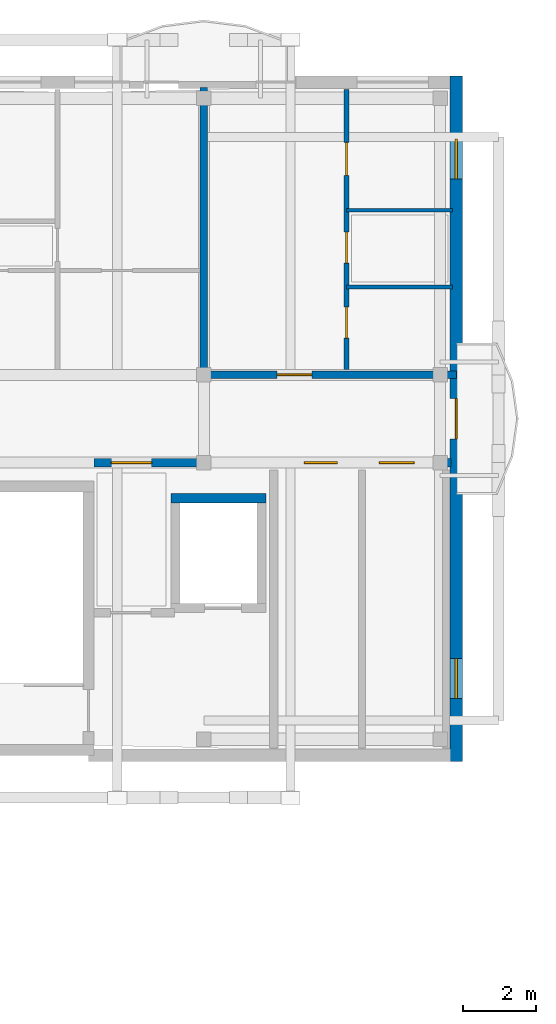
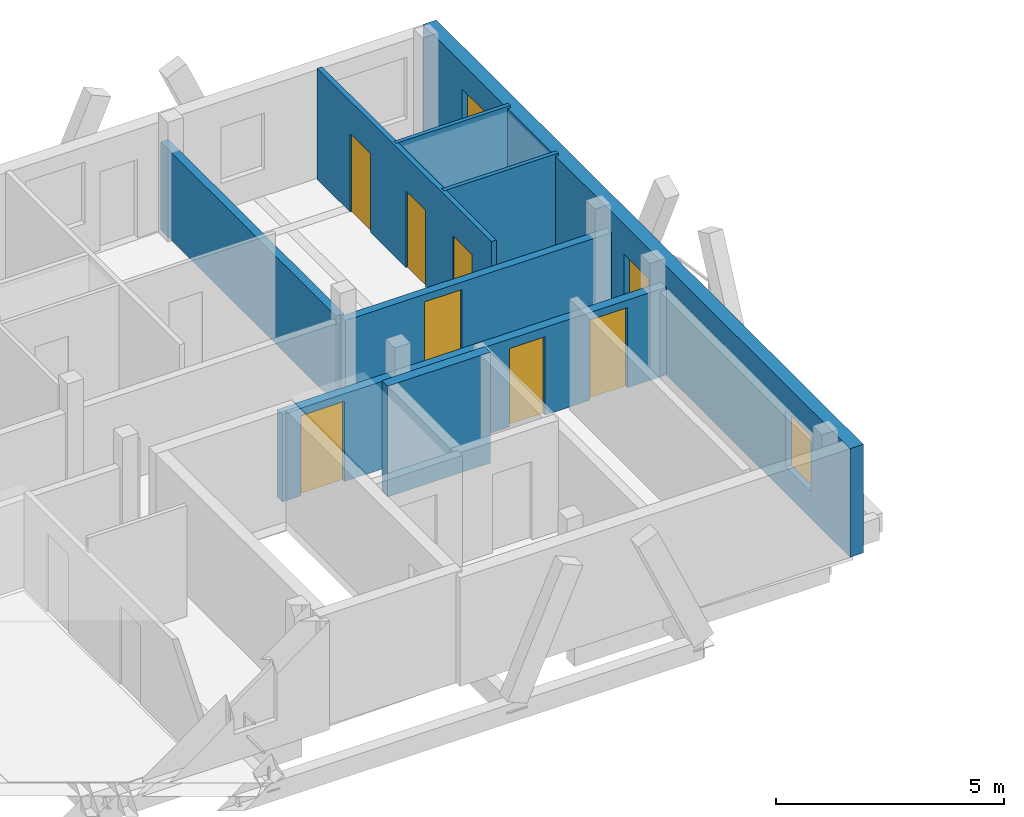
# One storey, part 13 of 18: 8 doors, 8 walls, 2 windows, 10 openings.
"""IFC4 building model written with IfcOpenShell, lengths in metres."""

from ifc_helpers import new_model, si_unit, direction, frame, frame_2d, origin, origin_with_axes, place, context, subcontext, project, spatial, rectangle, extrude, material, layer, layer_set, type_object, element, fill, save


model = new_model("IFC4")

# Units and contexts
model_context = context("Model", 3, precision=1e-05, world=origin(), true_north=direction((0.0, 1.0)))
body_context = subcontext(model_context, "Body", "Model", "MODEL_VIEW")
ifc_project = project(units=[si_unit("LENGTHUNIT", "METRE"), si_unit("AREAUNIT", "SQUARE_METRE"), si_unit("VOLUMEUNIT", "CUBIC_METRE"), si_unit("PLANEANGLEUNIT", "RADIAN"), si_unit("MASSUNIT", "GRAM", prefix="KILO")], contexts=[model_context])

# Site, building, storey
site_placement = place(None, origin())
site = spatial("IfcSite", under=ifc_project, at=site_placement, CompositionType="ELEMENT")
building_placement = place(site_placement, origin())
building = spatial("IfcBuilding", under=site, at=building_placement, Name="Zavelmont Quarter", CompositionType="ELEMENT")
storey_placement = place(building_placement, frame((0.0, 0.0, 40.0)))
storey = spatial("IfcBuildingStorey", under=building, at=storey_placement, Name="L12", CompositionType="ELEMENT", Elevation=40.0)

# Wall, openings, door, windows
ifc_material_1 = material(Name="Natural Belgian limestone", Category="masonry")
ifc_layer_1 = layer(ifc_material_1, 0.340087890625)
ifc_layer_set_1 = layer_set([ifc_layer_1], Name="Natural Belgian limestone")
wall_type_1 = type_object("IfcWallType", Name="EW03", PredefinedType="STANDARD", material=ifc_layer_set_1)
wall_1_placement = place(storey_placement, frame((41.39990234375, 97.429931640625, 0.0), z_axis=(0.0, 0.0, 1.0), x_axis=(0.0, 1.0, 0.0)))
wall_1 = element("IfcWall", 1, at=wall_1_placement, inside=storey, type_object=wall_type_1, Name="L12 exterior limestone wall EW03", PredefinedType="STANDARD", context=body_context, shape_type="SweptSolid", body=[
    extrude(rectangle(XDim=18.739990234375, YDim=0.340087890625, at=frame_2d((9.3701171875, 0.0))), origin(), (0.0, 0.0, 1.0), 2.909912109375),
])
opening_1_placement = place(wall_1_placement, frame((8.820068359375, 0.0, 0.0)))
opening_1 = element("IfcOpeningElement", 2, at=opening_1_placement, cuts=wall_1, Name="Opening DR04B", PredefinedType="OPENING", context=body_context, shape_type="SweptSolid", body=[
    extrude(rectangle(XDim=1.10009765625, YDim=2.10009765625, at=frame_2d((0.550048828125, 1.050048828125))), frame((0.0, 0.18212890625, 0.0), z_axis=(0.0, -1.0, 0.0), x_axis=(1.0, 0.0, 0.0)), (0.0, 0.0, 1.0), 0.364013671875),
])
opening_2_placement = place(wall_1_placement, frame((1.719970703125, 0.0, 0.719970703125)))
opening_2 = element("IfcOpeningElement", 3, at=opening_2_placement, cuts=wall_1, Name="Opening WN09", PredefinedType="OPENING", context=body_context, shape_type="SweptSolid", body=[
    extrude(rectangle(XDim=1.10009765625, YDim=1.5, at=frame_2d((0.550048828125, 0.75))), frame((0.0, 0.18212890625, 0.0), z_axis=(0.0, -1.0, 0.0), x_axis=(1.0, 0.0, 0.0)), (0.0, 0.0, 1.0), 0.364013671875),
])
opening_3_placement = place(wall_1_placement, frame((15.919921875, 0.0, 0.719970703125)))
opening_3 = element("IfcOpeningElement", 4, at=opening_3_placement, cuts=wall_1, Name="Opening WN09", PredefinedType="OPENING", context=body_context, shape_type="SweptSolid", body=[
    extrude(rectangle(XDim=1.10009765625, YDim=1.5, at=frame_2d((0.550048828125, 0.75))), frame((0.0, 0.18212890625, 0.0), z_axis=(0.0, -1.0, 0.0), x_axis=(1.0, 0.0, 0.0)), (0.0, 0.0, 1.0), 0.364013671875),
])
ifc_material_2 = material(Name="Thermally broken aluminium and double safety glass", Category="aluminium")
door_type_1 = type_object("IfcDoorType", Name="DR04B", OperationType="NOTDEFINED", PredefinedType="DOOR", material=ifc_material_2)
door_1_placement = place(opening_1_placement, origin_with_axes())
door_1 = element("IfcDoor", 5, at=door_1_placement, inside=storey, type_object=door_type_1, Name="Block B L12 terrace or vase balcony door", OperationType="SINGLE_SWING_LEFT", OverallHeight=2.10009765625, OverallWidth=1.10009765625, PredefinedType="DOOR", context=body_context, shape_type="SweptSolid", body=[
    extrude(rectangle(XDim=1.10009765625, YDim=2.10009765625, at=frame_2d((0.550048828125, 1.050048828125))), frame((0.0, 0.02490234375, 0.0), z_axis=(0.0, -1.0, 0.0), x_axis=(1.0, 0.0, 0.0)), (0.0, 0.0, 1.0), 0.050048828125),
])
fill(opening_1, door_1)
ifc_material_3 = material(Name="Double low-E insulated glazing in thermally broken aluminium frame", Category="aluminium")
window_type = type_object("IfcWindowType", Name="WN09", PartitioningType="SINGLE_PANEL", PredefinedType="WINDOW", material=ifc_material_3)
window_1_placement = place(opening_2_placement, origin_with_axes())
window_1 = element("IfcWindow", 6, at=window_1_placement, inside=storey, type_object=window_type, Name="L12 window WN09", OverallHeight=1.5, OverallWidth=1.10009765625, PartitioningType="SINGLE_PANEL", PredefinedType="WINDOW", context=body_context, shape_type="SweptSolid", body=[
    extrude(rectangle(XDim=1.10009765625, YDim=1.5, at=frame_2d((0.550048828125, 0.75))), frame((0.0, 0.030029296875, 0.0), z_axis=(0.0, -1.0, 0.0), x_axis=(1.0, 0.0, 0.0)), (0.0, 0.0, 1.0), 0.06005859375),
])
fill(opening_2, window_1)
window_2_placement = place(opening_3_placement, origin_with_axes())
window_2 = element("IfcWindow", 7, at=window_2_placement, inside=storey, type_object=window_type, Name="L12 window WN09", OverallHeight=1.5, OverallWidth=1.10009765625, PartitioningType="SINGLE_PANEL", PredefinedType="WINDOW", context=body_context, shape_type="SweptSolid", body=[
    extrude(rectangle(XDim=1.10009765625, YDim=1.5, at=frame_2d((0.550048828125, 0.75))), frame((0.0, 0.030029296875, 0.0), z_axis=(0.0, -1.0, 0.0), x_axis=(1.0, 0.0, 0.0)), (0.0, 0.0, 1.0), 0.06005859375),
])
fill(opening_3, window_2)

# Wall
ifc_material_4 = material(Name="Calcium-silicate blockwork and acoustic plaster", Category="masonry")
ifc_layer_2 = layer(ifc_material_4, 0.199951171875)
ifc_layer_set_2 = layer_set([ifc_layer_2], Name="Calcium-silicate blockwork and acoustic plaster")
wall_type_2 = type_object("IfcWallType", Name="IW01", PredefinedType="PARTITIONING", material=ifc_layer_set_2)
wall_2_placement = place(storey_placement, frame((34.5, 108.14990234375, 0.0), z_axis=(0.0, 0.0, 1.0), x_axis=(0.0, 1.0, 0.0)))
element("IfcWall", 8, at=wall_2_placement, inside=storey, type_object=wall_type_2, Name="L12 Inter-dwelling compartment wall IW01", PredefinedType="PARTITIONING", context=body_context, shape_type="SweptSolid", body=[
    extrude(rectangle(XDim=7.7001953125, YDim=0.199951171875, at=frame_2d((3.85009765625, 0.0))), origin(), (0.0, 0.0, 1.0), 2.35009765625),
])

# Wall, opening, door
wall_3_placement = place(storey_placement, frame((34.5, 108.0, 0.0), z_axis=(0.0, 0.0, 1.0), x_axis=(1.0, 0.0, 0.0)))
wall_3 = element("IfcWall", 9, at=wall_3_placement, inside=storey, type_object=wall_type_2, Name="L12 Corridor compartment wall IW01", PredefinedType="PARTITIONING", context=body_context, shape_type="SweptSolid", body=[
    extrude(rectangle(XDim=6.89990234375, YDim=0.199951171875, at=frame_2d((3.449951171875, 0.0))), origin(), (0.0, 0.0, 1.0), 2.35009765625),
])
opening_4_placement = place(wall_3_placement, frame((2.0, 0.0, 0.0)))
opening_4 = element("IfcOpeningElement", 10, at=opening_4_placement, cuts=wall_3, Name="Opening DR02", PredefinedType="OPENING", context=body_context, shape_type="SweptSolid", body=[
    extrude(rectangle(XDim=0.949951171875, YDim=2.14990234375, at=frame_2d((0.47509765625, 1.074951171875))), frame((0.0, 0.11181640625, 0.0), z_axis=(0.0, -1.0, 0.0), x_axis=(1.0, 0.0, 0.0)), (0.0, 0.0, 1.0), 0.223876953125),
])
ifc_material_5 = material(Name="Solid-core oak fire leaf in steel frame", Category="steel")
door_type_2 = type_object("IfcDoorType", Name="DR02", OperationType="NOTDEFINED", PredefinedType="DOOR", material=ifc_material_5)
door_2_placement = place(opening_4_placement, origin_with_axes())
door_2 = element("IfcDoor", 11, at=door_2_placement, inside=storey, type_object=door_type_2, Name="L12 door DR02", OperationType="SINGLE_SWING_LEFT", OverallHeight=2.14990234375, OverallWidth=0.949951171875, PredefinedType="DOOR", context=body_context, shape_type="SweptSolid", body=[
    extrude(rectangle(XDim=0.949951171875, YDim=2.14990234375, at=frame_2d((0.47509765625, 1.074951171875))), frame((0.0, 0.02490234375, 0.0), z_axis=(0.0, -1.0, 0.0), x_axis=(1.0, 0.0, 0.0)), (0.0, 0.0, 1.0), 0.050048828125),
])
fill(opening_4, door_2)

# Wall, openings, doors
ifc_material_6 = material(Name="Reinforced masonry fire compartment wall", Category="masonry")
ifc_layer_3 = layer(ifc_material_6, 0.22509765625)
ifc_layer_set_3 = layer_set([ifc_layer_3], Name="Reinforced masonry fire compartment wall")
wall_type_3 = type_object("IfcWallType", Name="IW02", PredefinedType="PARTITIONING", material=ifc_layer_set_3)
wall_4_placement = place(storey_placement, frame((31.5, 105.60009765625, 0.0), z_axis=(0.0, 0.0, 1.0), x_axis=(1.0, 0.0, 0.0)))
wall_4 = element("IfcWall", 12, at=wall_4_placement, inside=storey, type_object=wall_type_3, Name="L12 Core corridor fire wall IW02", PredefinedType="PARTITIONING", context=body_context, shape_type="SweptSolid", body=[
    extrude(rectangle(XDim=9.75, YDim=0.22509765625, at=frame_2d((4.875, 0.0))), origin(), (0.0, 0.0, 1.0), 2.35009765625),
])
opening_5_placement = place(wall_4_placement, frame((0.47509765625, 0.0, 0.0)))
opening_5 = element("IfcOpeningElement", 13, at=opening_5_placement, cuts=wall_4, Name="Opening DR10", PredefinedType="OPENING", context=body_context, shape_type="SweptSolid", body=[
    extrude(rectangle(XDim=1.10009765625, YDim=2.14990234375, at=frame_2d((0.550048828125, 1.074951171875))), frame((0.0, 0.12451171875, 0.0), z_axis=(0.0, -1.0, 0.0), x_axis=(1.0, 0.0, 0.0)), (0.0, 0.0, 1.0), 0.2490234375),
])
opening_6_placement = place(wall_4_placement, frame((5.75, 0.0, 0.0)))
opening_6 = element("IfcOpeningElement", 14, at=opening_6_placement, cuts=wall_4, Name="Opening DR11", PredefinedType="OPENING", context=body_context, shape_type="SweptSolid", body=[
    extrude(rectangle(XDim=0.89990234375, YDim=2.10009765625, at=frame_2d((0.449951171875, 1.050048828125))), frame((0.0, 0.12451171875, 0.0), z_axis=(0.0, -1.0, 0.0), x_axis=(1.0, 0.0, 0.0)), (0.0, 0.0, 1.0), 0.2490234375),
])
opening_7_placement = place(wall_4_placement, frame((7.800048828125, 0.0, 0.0)))
opening_7 = element("IfcOpeningElement", 15, at=opening_7_placement, cuts=wall_4, Name="Opening DR02", PredefinedType="OPENING", context=body_context, shape_type="SweptSolid", body=[
    extrude(rectangle(XDim=0.949951171875, YDim=2.14990234375, at=frame_2d((0.47509765625, 1.074951171875))), frame((0.0, 0.12451171875, 0.0), z_axis=(0.0, -1.0, 0.0), x_axis=(1.0, 0.0, 0.0)), (0.0, 0.0, 1.0), 0.2490234375),
])
door_3_placement = place(opening_7_placement, origin_with_axes())
door_3 = element("IfcDoor", 16, at=door_3_placement, inside=storey, type_object=door_type_2, Name="Auxiliary store corridor door", OperationType="SINGLE_SWING_RIGHT", OverallHeight=2.14990234375, OverallWidth=0.949951171875, PredefinedType="DOOR", context=body_context, shape_type="SweptSolid", body=[
    extrude(rectangle(XDim=0.949951171875, YDim=2.14990234375, at=frame_2d((0.47509765625, 1.074951171875))), frame((0.0, 0.02490234375, 0.0), z_axis=(0.0, -1.0, 0.0), x_axis=(1.0, 0.0, 0.0)), (0.0, 0.0, 1.0), 0.050048828125),
])
fill(opening_7, door_3)
ifc_material_7 = material(Name="Painted steel lobby fire door", Category="steel")
door_type_3 = type_object("IfcDoorType", Name="DR10", OperationType="NOTDEFINED", PredefinedType="DOOR", material=ifc_material_7)
door_4_placement = place(opening_5_placement, frame((1.10009765625, 0.0, 0.0), z_axis=(0.0, 0.0, 1.0), x_axis=(-1.0, 0.0, 0.0)))
door_4 = element("IfcDoor", 17, at=door_4_placement, inside=storey, type_object=door_type_3, Name="Core vestibule fire door", OperationType="SINGLE_SWING_RIGHT", OverallHeight=2.14990234375, OverallWidth=1.10009765625, PredefinedType="DOOR", context=body_context, shape_type="SweptSolid", body=[
    extrude(rectangle(XDim=1.10009765625, YDim=2.14990234375, at=frame_2d((0.550048828125, 1.074951171875))), frame((0.0, 0.02490234375, 0.0), z_axis=(0.0, -1.0, 0.0), x_axis=(1.0, 0.0, 0.0)), (0.0, 0.0, 1.0), 0.050048828125),
])
fill(opening_5, door_4)
ifc_material_8 = material(Name="Painted steel service-riser fire door", Category="steel")
door_type_4 = type_object("IfcDoorType", Name="DR11", OperationType="NOTDEFINED", PredefinedType="DOOR", material=ifc_material_8)
door_5_placement = place(opening_6_placement, origin_with_axes())
door_5 = element("IfcDoor", 18, at=door_5_placement, inside=storey, type_object=door_type_4, Name="Service riser fire door", OperationType="SINGLE_SWING_LEFT", OverallHeight=2.10009765625, OverallWidth=0.89990234375, PredefinedType="DOOR", context=body_context, shape_type="SweptSolid", body=[
    extrude(rectangle(XDim=0.89990234375, YDim=2.10009765625, at=frame_2d((0.449951171875, 1.050048828125))), frame((0.0, 0.02490234375, 0.0), z_axis=(0.0, -1.0, 0.0), x_axis=(1.0, 0.0, 0.0)), (0.0, 0.0, 1.0), 0.050048828125),
])
fill(opening_6, door_5)

ifc_material_9 = material(Name="Double gypsum board on acoustic steel stud", Category="steel")
ifc_layer_4 = layer(ifc_material_9, 0.125)
ifc_layer_set_4 = layer_set([ifc_layer_4], Name="Double gypsum board on acoustic steel stud")
wall_type_4 = type_object("IfcWallType", Name="IW03", PredefinedType="PARTITIONING", material=ifc_layer_set_4)
wall_5_placement = place(storey_placement, frame((38.39990234375, 108.14990234375, 0.0), z_axis=(0.0, 0.0, 1.0), x_axis=(0.0, 1.0, 0.0)))
wall_5 = element("IfcWall", 19, at=wall_5_placement, inside=storey, type_object=wall_type_4, Name="L12 Partition IW03", PredefinedType="PARTITIONING", context=body_context, shape_type="SweptSolid", body=[
    extrude(rectangle(XDim=7.650146484375, YDim=0.125, at=frame_2d((3.8251953125, 0.0))), origin(), (0.0, 0.0, 1.0), 2.969970703125),
])
opening_8_placement = place(wall_5_placement, frame((0.85009765625, 0.0, 0.0)))
opening_8 = element("IfcOpeningElement", 20, at=opening_8_placement, cuts=wall_5, Name="Opening DR16", PredefinedType="OPENING", context=body_context, shape_type="SweptSolid", body=[
    extrude(rectangle(XDim=0.85009765625, YDim=2.10009765625, at=frame_2d((0.425048828125, 1.050048828125))), frame((0.0, 0.074462890625, 0.0), z_axis=(0.0, -1.0, 0.0), x_axis=(1.0, 0.0, 0.0)), (0.0, 0.0, 1.0), 0.14892578125),
])
opening_9_placement = place(wall_5_placement, frame((2.89990234375, 0.0, 0.0)))
opening_9 = element("IfcOpeningElement", 21, at=opening_9_placement, cuts=wall_5, Name="Opening DR06", PredefinedType="OPENING", context=body_context, shape_type="SweptSolid", body=[
    extrude(rectangle(XDim=0.85009765625, YDim=2.050048828125, at=frame_2d((0.425048828125, 1.02490234375))), frame((0.0, 0.074462890625, 0.0), z_axis=(0.0, -1.0, 0.0), x_axis=(1.0, 0.0, 0.0)), (0.0, 0.0, 1.0), 0.14892578125),
])
opening_10_placement = place(wall_5_placement, frame((5.300048828125, 0.0, 0.0)))
opening_10 = element("IfcOpeningElement", 22, at=opening_10_placement, cuts=wall_5, Name="Opening DR05", PredefinedType="OPENING", context=body_context, shape_type="SweptSolid", body=[
    extrude(rectangle(XDim=0.89990234375, YDim=2.10009765625, at=frame_2d((0.449951171875, 1.050048828125))), frame((0.0, 0.074462890625, 0.0), z_axis=(0.0, -1.0, 0.0), x_axis=(1.0, 0.0, 0.0)), (0.0, 0.0, 1.0), 0.14892578125),
])
ifc_material_10 = material(Name="Engineered oak flush interior door")
door_type_5 = type_object("IfcDoorType", Name="DR05", OperationType="NOTDEFINED", PredefinedType="DOOR", material=ifc_material_10)
door_6_placement = place(opening_10_placement, frame((0.89990234375, 0.0, 0.0), z_axis=(0.0, 0.0, 1.0), x_axis=(-1.0, 0.0, 0.0)))
door_6 = element("IfcDoor", 23, at=door_6_placement, inside=storey, type_object=door_type_5, Name="L12 door DR05", OperationType="SINGLE_SWING_LEFT", OverallHeight=2.10009765625, OverallWidth=0.89990234375, PredefinedType="DOOR", context=body_context, shape_type="SweptSolid", body=[
    extrude(rectangle(XDim=0.89990234375, YDim=2.10009765625, at=frame_2d((0.449951171875, 1.050048828125))), frame((0.0, 0.02490234375, 0.0), z_axis=(0.0, -1.0, 0.0), x_axis=(1.0, 0.0, 0.0)), (0.0, 0.0, 1.0), 0.050048828125),
])
fill(opening_10, door_6)
ifc_material_11 = material(Name="Moisture-resistant painted wet-room door")
door_type_6 = type_object("IfcDoorType", Name="DR06", OperationType="NOTDEFINED", PredefinedType="DOOR", material=ifc_material_11)
door_7_placement = place(opening_9_placement, origin_with_axes())
door_7 = element("IfcDoor", 24, at=door_7_placement, inside=storey, type_object=door_type_6, Name="L12 door DR06", OperationType="SINGLE_SWING_RIGHT", OverallHeight=2.050048828125, OverallWidth=0.85009765625, PredefinedType="DOOR", context=body_context, shape_type="SweptSolid", body=[
    extrude(rectangle(XDim=0.85009765625, YDim=2.050048828125, at=frame_2d((0.425048828125, 1.02490234375))), frame((0.0, 0.02490234375, 0.0), z_axis=(0.0, -1.0, 0.0), x_axis=(1.0, 0.0, 0.0)), (0.0, 0.0, 1.0), 0.050048828125),
])
fill(opening_9, door_7)
door_type_7 = type_object("IfcDoorType", Name="DR16", OperationType="NOTDEFINED", PredefinedType="DOOR", material=ifc_material_10)
door_8_placement = place(opening_8_placement, frame((0.85009765625, 0.0, 0.0), z_axis=(0.0, 0.0, 1.0), x_axis=(-1.0, 0.0, 0.0)))
door_8 = element("IfcDoor", 25, at=door_8_placement, inside=storey, type_object=door_type_7, Name="L12 door DR16", OperationType="SINGLE_SWING_LEFT", OverallHeight=2.10009765625, OverallWidth=0.85009765625, PredefinedType="DOOR", context=body_context, shape_type="SweptSolid", body=[
    extrude(rectangle(XDim=0.85009765625, YDim=2.10009765625, at=frame_2d((0.425048828125, 1.050048828125))), frame((0.0, 0.02490234375, 0.0), z_axis=(0.0, -1.0, 0.0), x_axis=(1.0, 0.0, 0.0)), (0.0, 0.0, 1.0), 0.050048828125),
])
fill(opening_8, door_8)

# Walls
ifc_material_12 = material(Name="Moisture-resistant gypsum board on steel stud", Category="steel")
ifc_layer_5 = layer(ifc_material_12, 0.10009765625)
ifc_layer_set_5 = layer_set([ifc_layer_5], Name="Moisture-resistant gypsum board on steel stud")
wall_type_5 = type_object("IfcWallType", Name="IW04", PredefinedType="PARTITIONING", material=ifc_layer_set_5)
for number, where, z_axis, x_axis, name in (
    (26, (38.39990234375, 110.39990234375, 0.0), (0.0, 0.0, 1.0), (1.0, 0.0, 0.0), "L12 Partition IW04"),
    (27, (38.39990234375, 112.5, 0.0), (0.0, 0.0, 1.0), (1.0, 0.0, 0.0), "L12 Partition IW04"),
):
    element("IfcWall", number, at=place(storey_placement, frame(where, z_axis=z_axis, x_axis=x_axis)), inside=storey, type_object=wall_type_5, Name=name, PredefinedType="PARTITIONING", context=body_context, shape_type="SweptSolid", body=[
        extrude(rectangle(XDim=2.900146484375, YDim=0.10009765625, at=frame_2d((1.4501953125, 0.0))), origin(), (0.0, 0.0, 1.0), 2.969970703125),
    ])
ifc_material_13 = material(Name="Concrete C40/50", Category="concrete")
ifc_layer_6 = layer(ifc_material_13, 0.25)
ifc_layer_set_6 = layer_set([ifc_layer_6], Name="Concrete C40/50")
wall_type_6 = type_object("IfcWallType", Name="SW02", PredefinedType="SHEAR", material=ifc_layer_set_6)
wall_6_placement = place(storey_placement, frame((33.60009765625, 104.625, 0.0), z_axis=(0.0, 0.0, 1.0), x_axis=(1.0, 0.0, 0.0)))
element("IfcWall", 28, at=wall_6_placement, inside=storey, type_object=wall_type_6, Name="L12 Lift LF04 back shaft wall SW02", PredefinedType="SHEAR", context=body_context, shape_type="SweptSolid", body=[
    extrude(rectangle(XDim=2.599853515625, YDim=0.25, at=frame_2d((1.2998046875, 0.0))), origin(), (0.0, 0.0, 1.0), 2.969970703125),
])

save(model, "model.ifc")
